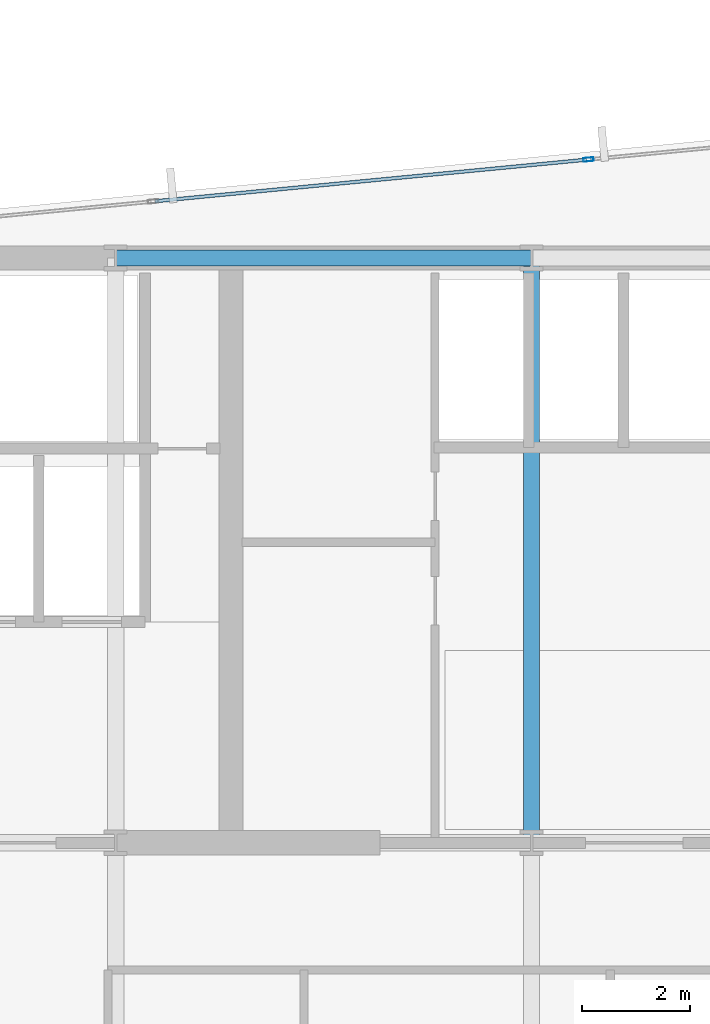
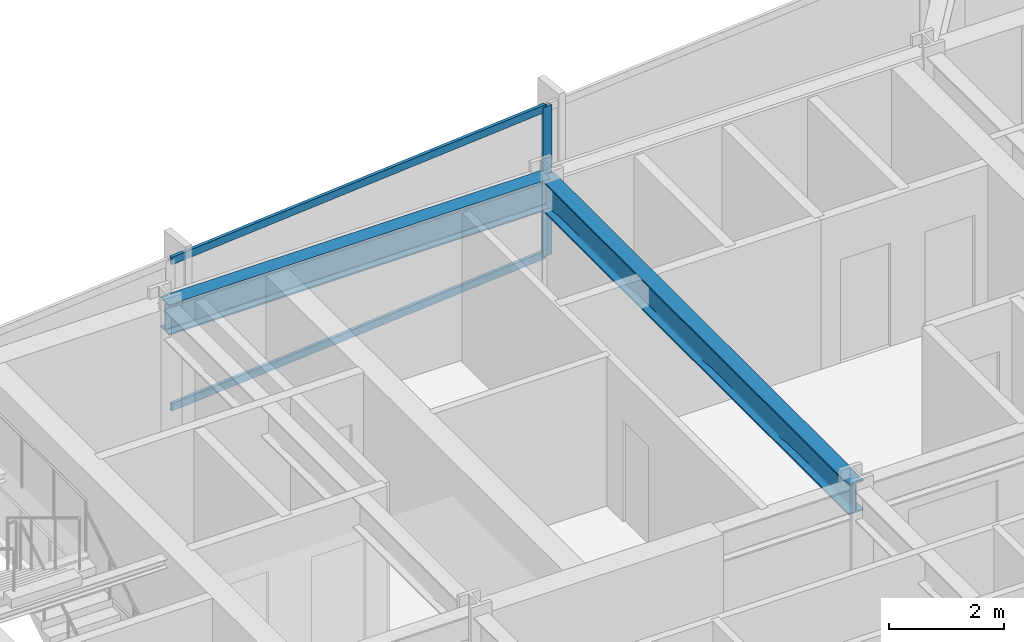
# One storey, part 19 of 32: 3 members, 2 beams, 1 element without a shape of its own.
"""IFC4 building model written with IfcOpenShell, lengths in metres."""

from ifc_helpers import new_model, si_unit, direction, frame, origin, origin_2d, place, context, subcontext, project, spatial, hollow_rectangle, i_section, extrude, material, material_profile, profile_set, type_object, element, aggregate, save


model = new_model("IFC4")

# Units and contexts
model_context = context("Model", 3, precision=1e-05, world=origin(), true_north=direction((0.0, 1.0)))
body_context = subcontext(model_context, "Body", "Model", "MODEL_VIEW")
ifc_project = project(units=[si_unit("LENGTHUNIT", "METRE"), si_unit("AREAUNIT", "SQUARE_METRE"), si_unit("VOLUMEUNIT", "CUBIC_METRE"), si_unit("PLANEANGLEUNIT", "RADIAN"), si_unit("MASSUNIT", "GRAM", prefix="KILO")], contexts=[model_context])

# Site, building, storey
site_placement = place(None, origin())
site = spatial("IfcSite", under=ifc_project, at=site_placement, CompositionType="ELEMENT")
building_placement = place(site_placement, origin())
building = spatial("IfcBuilding", under=site, at=building_placement, Name="Yelkora Congress Tower", CompositionType="ELEMENT")
storey_placement = place(building_placement, frame((0.0, 0.0, 113.5)))
storey = spatial("IfcBuildingStorey", under=building, at=storey_placement, Name="L30", CompositionType="ELEMENT", Elevation=113.5)

# Beams
ifc_material_1 = material(Name="Steel S355J2", Category="steel")
ifc_material_profile_1 = material_profile(ifc_material_1, i_section(OverallWidth=0.300048828125, OverallDepth=0.64990234375, WebThickness=0.01611328125, FlangeThickness=0.031005859375, FilletRadius=0.027099609375, at=origin_2d()), Name="HEB 650")
ifc_profile_set_1 = profile_set([ifc_material_profile_1], Name="Steel S355J2")
beam_type = type_object("IfcBeamType", Name="BM-GIRD-HEB650", PredefinedType="BEAM", material=ifc_profile_set_1)
beam_1_placement = place(storey_placement, frame((30.719970703125, 46.199951171875, 2.85498046875), z_axis=(1.0, 0.0, 0.0), x_axis=(0.0, 1.0, 0.0)))
element("IfcBeam", 1, at=beam_1_placement, inside=storey, type_object=beam_type, Name="L30 Core North Girder 3", PredefinedType="BEAM", context=body_context, shape_type="SweptSolid", body=[
    extrude(i_section(OverallWidth=0.300048828125, OverallDepth=0.64990234375, WebThickness=0.01611328125, FlangeThickness=0.031005859375, FilletRadius=0.027099609375, at=origin_2d()), origin(), (0.0, 0.0, 1.0), 7.679931640625),
])
beam_2_placement = place(storey_placement, frame((38.39990234375, 35.39990234375, 2.85498046875), z_axis=(0.0, 1.0, 0.0), x_axis=(-1.0, 0.0, 0.0)))
element("IfcBeam", 2, at=beam_2_placement, inside=storey, type_object=beam_type, Name="L30 Core Tie Girder MC-S3", PredefinedType="BEAM", context=body_context, shape_type="SweptSolid", body=[
    extrude(i_section(OverallWidth=0.300048828125, OverallDepth=0.64990234375, WebThickness=0.01611328125, FlangeThickness=0.031005859375, FilletRadius=0.027099609375, at=origin_2d()), origin(), (0.0, 0.0, 1.0), 10.800048828125),
])

# Curtain wall, members
ifc_material_2 = material(Name="Anodised aluminium and insulated glass", Category="aluminium")
curtain_wall_type = type_object("IfcCurtainWallType", Name="CW-SYS-B2", PredefinedType="NOTDEFINED", material=ifc_material_2)
curtain_wall_placement = place(storey_placement, origin())
curtain_wall = element("IfcCurtainWall", 3, at=curtain_wall_placement, inside=storey, type_object=curtain_wall_type, Name="L30 Unitised Curtain Wall 10 (3)", PredefinedType="NOTDEFINED")
ifc_material_3 = material(Name="Anodised aluminium 6063-T6", Category="aluminium")
ifc_material_profile_2 = material_profile(ifc_material_3, hollow_rectangle(XDim=0.070068359375, YDim=0.18994140625, WallThickness=0.00390625, at=origin_2d()), Name="ALU 70x190x4")
ifc_profile_set_2 = profile_set([ifc_material_profile_2], Name="Anodised aluminium 6063-T6")
member_type_1 = type_object("IfcMemberType", Name="MEM-ML-B2", PredefinedType="MULLION", material=ifc_profile_set_2)
member_1_placement = place(storey_placement, frame((39.451904296875, 48.018310546875, 0.0), z_axis=(0.0, 0.0, 1.0), x_axis=(-0.095844238468, 0.995396344153, 0.0)))
member_1 = element("IfcMember", 4, at=member_1_placement, type_object=member_type_1, Name="CW-B2 mullion 3", PredefinedType="MULLION", context=body_context, shape_type="SweptSolid", body=[
    extrude(hollow_rectangle(XDim=0.070068359375, YDim=0.18994140625, WallThickness=0.00390625, at=origin_2d()), origin(), (0.0, 0.0, 1.0), 3.179931640625),
])
ifc_material_profile_3 = material_profile(ifc_material_3, hollow_rectangle(XDim=0.06494140625, YDim=0.159912109375, WallThickness=0.00390625, at=origin_2d()), Name="ALU 65x160x4")
ifc_profile_set_3 = profile_set([ifc_material_profile_3], Name="Anodised aluminium 6063-T6")
member_type_2 = type_object("IfcMemberType", Name="MEM-TR-B2", PredefinedType="USERDEFINED", material=ifc_profile_set_3)
member_2_placement = place(storey_placement, frame((31.44677734375, 47.24755859375, 0.032470703125), z_axis=(0.995397793901, 0.09582918082, 0.0), x_axis=(-0.09582918082, 0.995397793901, 0.0)))
member_2 = element("IfcMember", 5, at=member_2_placement, type_object=member_type_2, Name="CW-B2 transom 2.1", ObjectType="TRANSOM", PredefinedType="USERDEFINED", context=body_context, shape_type="SweptSolid", body=[
    extrude(hollow_rectangle(XDim=0.06494140625, YDim=0.159912109375, WallThickness=0.00390625, at=origin_2d()), origin(), (0.0, 0.0, 1.0), 8.00732421875),
])
member_3_placement = place(storey_placement, frame((31.44677734375, 47.24755859375, 3.1474609375), z_axis=(0.995397793901, 0.09582918082, 0.0), x_axis=(-0.09582918082, 0.995397793901, 0.0)))
member_3 = element("IfcMember", 6, at=member_3_placement, type_object=member_type_2, Name="CW-B2 transom 2.2", ObjectType="TRANSOM", PredefinedType="USERDEFINED", context=body_context, shape_type="SweptSolid", body=[
    extrude(hollow_rectangle(XDim=0.06494140625, YDim=0.159912109375, WallThickness=0.00390625, at=origin_2d()), origin(), (0.0, 0.0, 1.0), 8.00732421875),
])
aggregate(curtain_wall, [member_1, member_2, member_3])

save(model, "model.ifc")
